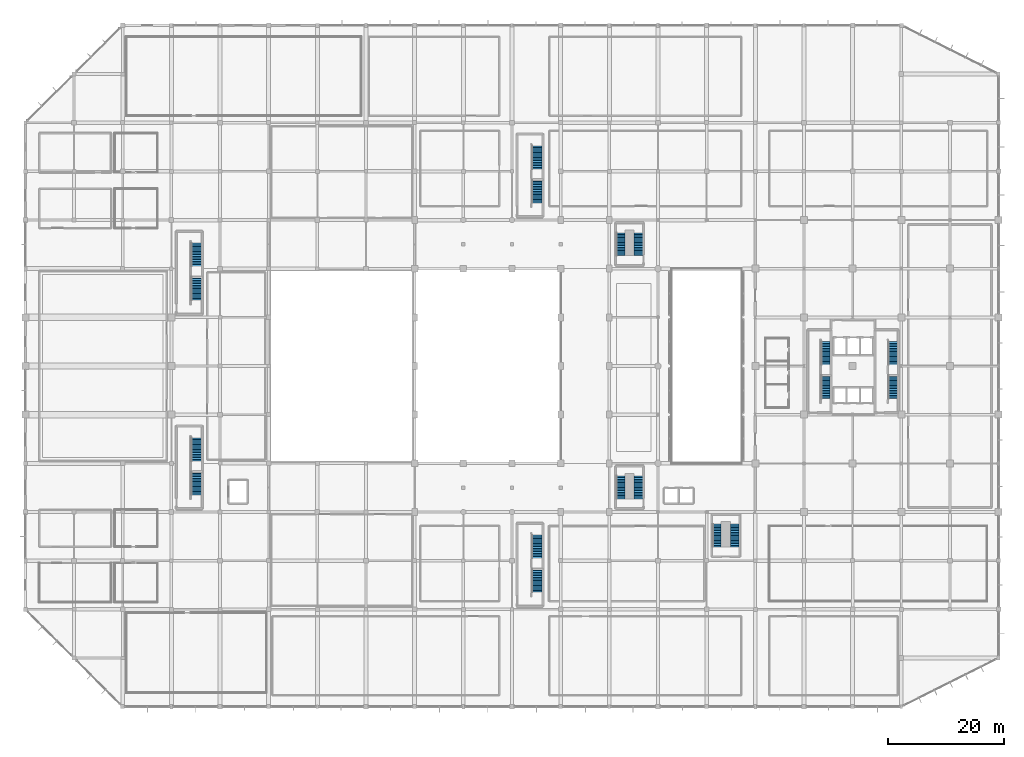
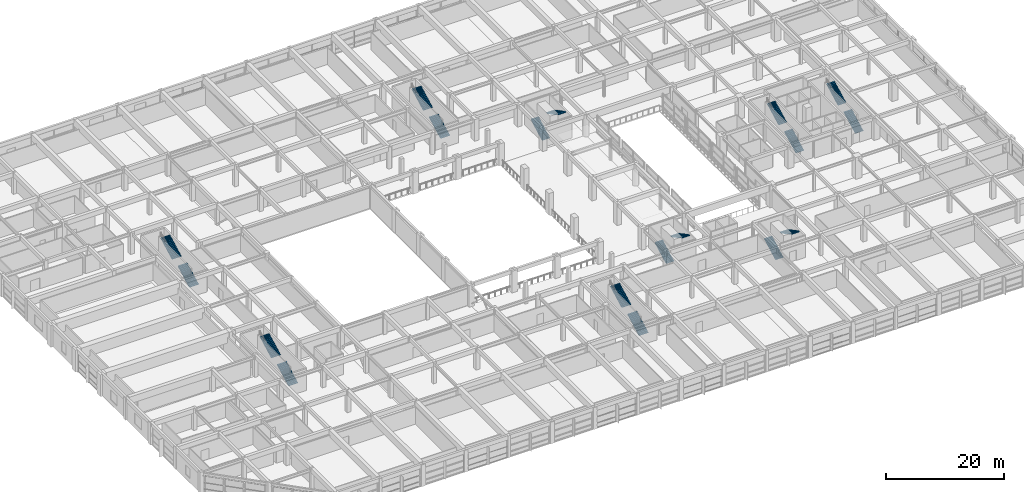
# One storey, part 57 of 65: 18 stair flights, 9 elements without a shape of their own.
"""IFC4 building model written with IfcOpenShell, lengths in metres."""

from ifc_helpers import new_model, si_unit, direction, frame, origin, place, context, subcontext, project, spatial, polyline, outline, extrude, material, layer, layer_set, type_object, element, aggregate, save


model = new_model("IFC4")

# Units and contexts
model_context = context("Model", 3, precision=1e-05, world=origin(), true_north=direction((0.0, 1.0)))
body_context = subcontext(model_context, "Body", "Model", "MODEL_VIEW")
ifc_project = project(units=[si_unit("LENGTHUNIT", "METRE"), si_unit("AREAUNIT", "SQUARE_METRE"), si_unit("VOLUMEUNIT", "CUBIC_METRE"), si_unit("PLANEANGLEUNIT", "RADIAN"), si_unit("MASSUNIT", "GRAM", prefix="KILO")], contexts=[model_context])

# Site, building, storey
site_placement = place(None, origin())
site = spatial("IfcSite", under=ifc_project, at=site_placement, CompositionType="ELEMENT")
building_placement = place(site_placement, origin())
building = spatial("IfcBuilding", under=site, at=building_placement, Name="Xuanlan Plaza Opera House", CompositionType="ELEMENT")
storey_placement = place(building_placement, frame((0.0, 0.0, 5.39990234375)))
storey = spatial("IfcBuildingStorey", under=building, at=storey_placement, Name="L01", CompositionType="ELEMENT", Elevation=5.39990234375)

# Stair, stair flights
ifc_material = material(Name="Concrete C40", Category="concrete")
stair_type_1 = type_object("IfcStairType", Name="INT-ST-STR-F130", PredefinedType="HALF_TURN_STAIR", material=ifc_material)
stair_1_placement = place(storey_placement, origin())
stair_1 = element("IfcStair", 1, at=stair_1_placement, inside=storey, type_object=stair_type_1, Name="Grand Foyer Feature Stair ST-F1 L01", PredefinedType="HALF_TURN_STAIR")
ifc_layer_1 = layer(ifc_material, 0.159912109375)
ifc_layer_set_1 = layer_set([ifc_layer_1], Name="Concrete C40")
stair_flight_type_1 = type_object("IfcStairFlightType", Name="INT-FL-FL-130", PredefinedType="STRAIGHT", material=ifc_layer_set_1)
stair_flight_1_placement = place(storey_placement, frame((102.75, 35.8798828125, 0.0), z_axis=(0.0, 0.0, 1.0), x_axis=(0.0, 1.0, 0.0)))
stair_flight_1 = element("IfcStairFlight", 2, at=stair_flight_1_placement, type_object=stair_flight_type_1, Name="ST-F1-L01 flight 1", NumberOfRisers=15, NumberOfTreads=14, PredefinedType="STRAIGHT", RiserHeight=0.15, TreadLength=0.28, context=body_context, shape_type="SweptSolid", body=[
    extrude(outline(polyline([(0.0, 0.0), (0.0, 0.14990234375), (0.280029296875, 0.14990234375), (0.280029296875, 0.300048828125), (0.56005859375, 0.300048828125), (0.56005859375, 0.449951171875), (0.840087890625, 0.449951171875), (0.840087890625, 0.60009765625), (1.1201171875, 0.60009765625), (1.1201171875, 0.75), (1.39990234375, 0.75), (1.39990234375, 0.89990234375), (1.679931640625, 0.89990234375), (1.679931640625, 1.050048828125), (1.9599609375, 1.050048828125), (1.9599609375, 1.199951171875), (2.239990234375, 1.199951171875), (2.239990234375, 1.35009765625), (2.52001953125, 1.35009765625), (2.52001953125, 1.5), (2.800048828125, 1.5), (2.800048828125, 1.64990234375), (3.080078125, 1.64990234375), (3.080078125, 1.800048828125), (3.360107421875, 1.800048828125), (3.360107421875, 1.949951171875), (3.639892578125, 1.949951171875), (3.639892578125, 2.10009765625), (3.919921875, 2.10009765625), (3.919921875, 2.25), (3.919921875, 1.918701171875), (0.338623046875, 0.0), (0.0, 0.0)])), frame((0.0, 0.75, 0.0), z_axis=(0.0, -1.0, 0.0), x_axis=(1.0, 0.0, 0.0)), (0.0, 0.0, 1.0), 1.5),
])
stair_flight_2_placement = place(storey_placement, frame((105.85009765625, 39.800048828125, 2.25), z_axis=(0.0, 0.0, 1.0), x_axis=(0.0, -1.0, 0.0)))
stair_flight_2 = element("IfcStairFlight", 3, at=stair_flight_2_placement, type_object=stair_flight_type_1, Name="ST-F1-L01 flight 2", NumberOfRisers=15, NumberOfTreads=14, PredefinedType="STRAIGHT", RiserHeight=0.15, TreadLength=0.28, context=body_context, shape_type="SweptSolid", body=[
    extrude(outline(polyline([(0.0, 0.0), (0.0, 0.14990234375), (0.280029296875, 0.14990234375), (0.280029296875, 0.300048828125), (0.56005859375, 0.300048828125), (0.56005859375, 0.449951171875), (0.840087890625, 0.449951171875), (0.840087890625, 0.60009765625), (1.1201171875, 0.60009765625), (1.1201171875, 0.75), (1.39990234375, 0.75), (1.39990234375, 0.89990234375), (1.679931640625, 0.89990234375), (1.679931640625, 1.050048828125), (1.9599609375, 1.050048828125), (1.9599609375, 1.199951171875), (2.239990234375, 1.199951171875), (2.239990234375, 1.35009765625), (2.52001953125, 1.35009765625), (2.52001953125, 1.5), (2.800048828125, 1.5), (2.800048828125, 1.64990234375), (3.080078125, 1.64990234375), (3.080078125, 1.800048828125), (3.360107421875, 1.800048828125), (3.360107421875, 1.949951171875), (3.639892578125, 1.949951171875), (3.639892578125, 2.10009765625), (3.919921875, 2.10009765625), (3.919921875, 2.25), (3.919921875, 1.918701171875), (0.338623046875, 0.0), (0.0, 0.0)])), frame((0.0, 0.75, 0.0), z_axis=(0.0, -1.0, 0.0), x_axis=(1.0, 0.0, 0.0)), (0.0, 0.0, 1.0), 1.5),
])
aggregate(stair_1, [stair_flight_1, stair_flight_2])

stair_2_placement = place(storey_placement, origin())
stair_2 = element("IfcStair", 4, at=stair_2_placement, inside=storey, type_object=stair_type_1, Name="Grand Foyer Feature Stair ST-F2 L01", PredefinedType="HALF_TURN_STAIR")
stair_flight_3_placement = place(storey_placement, frame((102.75, 77.8798828125, 0.0), z_axis=(0.0, 0.0, 1.0), x_axis=(0.0, 1.0, 0.0)))
stair_flight_3 = element("IfcStairFlight", 5, at=stair_flight_3_placement, type_object=stair_flight_type_1, Name="ST-F2-L01 flight 1", NumberOfRisers=15, NumberOfTreads=14, PredefinedType="STRAIGHT", RiserHeight=0.15, TreadLength=0.28, context=body_context, shape_type="SweptSolid", body=[
    extrude(outline(polyline([(0.0, 0.0), (0.0, 0.14990234375), (0.280029296875, 0.14990234375), (0.280029296875, 0.300048828125), (0.56005859375, 0.300048828125), (0.56005859375, 0.449951171875), (0.840087890625, 0.449951171875), (0.840087890625, 0.60009765625), (1.1201171875, 0.60009765625), (1.1201171875, 0.75), (1.39990234375, 0.75), (1.39990234375, 0.89990234375), (1.679931640625, 0.89990234375), (1.679931640625, 1.050048828125), (1.9599609375, 1.050048828125), (1.9599609375, 1.199951171875), (2.239990234375, 1.199951171875), (2.239990234375, 1.35009765625), (2.52001953125, 1.35009765625), (2.52001953125, 1.5), (2.800048828125, 1.5), (2.800048828125, 1.64990234375), (3.080078125, 1.64990234375), (3.080078125, 1.800048828125), (3.360107421875, 1.800048828125), (3.360107421875, 1.949951171875), (3.639892578125, 1.949951171875), (3.639892578125, 2.10009765625), (3.919921875, 2.10009765625), (3.919921875, 2.25), (3.919921875, 1.918701171875), (0.338623046875, 0.0), (0.0, 0.0)])), frame((0.0, 0.75, 0.0), z_axis=(0.0, -1.0, 0.0), x_axis=(1.0, 0.0, 0.0)), (0.0, 0.0, 1.0), 1.5),
])
stair_flight_4_placement = place(storey_placement, frame((105.85009765625, 81.800048828125, 2.25), z_axis=(0.0, 0.0, 1.0), x_axis=(0.0, -1.0, 0.0)))
stair_flight_4 = element("IfcStairFlight", 6, at=stair_flight_4_placement, type_object=stair_flight_type_1, Name="ST-F2-L01 flight 2", NumberOfRisers=15, NumberOfTreads=14, PredefinedType="STRAIGHT", RiserHeight=0.15, TreadLength=0.28, context=body_context, shape_type="SweptSolid", body=[
    extrude(outline(polyline([(0.0, 0.0), (0.0, 0.14990234375), (0.280029296875, 0.14990234375), (0.280029296875, 0.300048828125), (0.56005859375, 0.300048828125), (0.56005859375, 0.449951171875), (0.840087890625, 0.449951171875), (0.840087890625, 0.60009765625), (1.1201171875, 0.60009765625), (1.1201171875, 0.75), (1.39990234375, 0.75), (1.39990234375, 0.89990234375), (1.679931640625, 0.89990234375), (1.679931640625, 1.050048828125), (1.9599609375, 1.050048828125), (1.9599609375, 1.199951171875), (2.239990234375, 1.199951171875), (2.239990234375, 1.35009765625), (2.52001953125, 1.35009765625), (2.52001953125, 1.5), (2.800048828125, 1.5), (2.800048828125, 1.64990234375), (3.080078125, 1.64990234375), (3.080078125, 1.800048828125), (3.360107421875, 1.800048828125), (3.360107421875, 1.949951171875), (3.639892578125, 1.949951171875), (3.639892578125, 2.10009765625), (3.919921875, 2.10009765625), (3.919921875, 2.25), (3.919921875, 1.918701171875), (0.338623046875, 0.0), (0.0, 0.0)])), frame((0.0, 0.75, 0.0), z_axis=(0.0, -1.0, 0.0), x_axis=(1.0, 0.0, 0.0)), (0.0, 0.0, 1.0), 1.5),
])
aggregate(stair_2, [stair_flight_3, stair_flight_4])

stair_type_2 = type_object("IfcStairType", Name="INT-ST-STR-F135", PredefinedType="HALF_TURN_STAIR", material=ifc_material)
stair_3_placement = place(storey_placement, origin())
stair_3 = element("IfcStair", 7, at=stair_3_placement, inside=storey, type_object=stair_type_2, Name="Grand Foyer Feature Stair ST-F3 L01", PredefinedType="HALF_TURN_STAIR")
stair_flight_5_placement = place(storey_placement, frame((119.35009765625, 27.580078125, 0.0), z_axis=(0.0, 0.0, 1.0), x_axis=(0.0, 1.0, 0.0)))
stair_flight_5 = element("IfcStairFlight", 8, at=stair_flight_5_placement, type_object=stair_flight_type_1, Name="ST-F3-L01 flight 1", NumberOfRisers=15, NumberOfTreads=14, PredefinedType="STRAIGHT", RiserHeight=0.15, TreadLength=0.28, context=body_context, shape_type="SweptSolid", body=[
    extrude(outline(polyline([(0.0, 0.0), (0.0, 0.14990234375), (0.280029296875, 0.14990234375), (0.280029296875, 0.300048828125), (0.56005859375, 0.300048828125), (0.56005859375, 0.449951171875), (0.840087890625, 0.449951171875), (0.840087890625, 0.60009765625), (1.1201171875, 0.60009765625), (1.1201171875, 0.75), (1.39990234375, 0.75), (1.39990234375, 0.89990234375), (1.679931640625, 0.89990234375), (1.679931640625, 1.050048828125), (1.9599609375, 1.050048828125), (1.9599609375, 1.199951171875), (2.239990234375, 1.199951171875), (2.239990234375, 1.35009765625), (2.52001953125, 1.35009765625), (2.52001953125, 1.5), (2.800048828125, 1.5), (2.800048828125, 1.64990234375), (3.080078125, 1.64990234375), (3.080078125, 1.800048828125), (3.360107421875, 1.800048828125), (3.360107421875, 1.949951171875), (3.639892578125, 1.949951171875), (3.639892578125, 2.10009765625), (3.919921875, 2.10009765625), (3.919921875, 2.25), (3.919921875, 1.918701171875), (0.338623046875, 0.0), (0.0, 0.0)])), frame((0.0, 0.75, 0.0), z_axis=(0.0, -1.0, 0.0), x_axis=(1.0, 0.0, 0.0)), (0.0, 0.0, 1.0), 1.5),
])
stair_flight_6_placement = place(storey_placement, frame((122.449951171875, 31.5, 2.25), z_axis=(0.0, 0.0, 1.0), x_axis=(0.0, -1.0, 0.0)))
stair_flight_6 = element("IfcStairFlight", 9, at=stair_flight_6_placement, type_object=stair_flight_type_1, Name="ST-F3-L01 flight 2", NumberOfRisers=15, NumberOfTreads=14, PredefinedType="STRAIGHT", RiserHeight=0.15, TreadLength=0.28, context=body_context, shape_type="SweptSolid", body=[
    extrude(outline(polyline([(0.0, 0.0), (0.0, 0.14990234375), (0.280029296875, 0.14990234375), (0.280029296875, 0.300048828125), (0.56005859375, 0.300048828125), (0.56005859375, 0.449951171875), (0.840087890625, 0.449951171875), (0.840087890625, 0.60009765625), (1.1201171875, 0.60009765625), (1.1201171875, 0.75), (1.39990234375, 0.75), (1.39990234375, 0.89990234375), (1.679931640625, 0.89990234375), (1.679931640625, 1.050048828125), (1.9599609375, 1.050048828125), (1.9599609375, 1.199951171875), (2.239990234375, 1.199951171875), (2.239990234375, 1.35009765625), (2.52001953125, 1.35009765625), (2.52001953125, 1.5), (2.800048828125, 1.5), (2.800048828125, 1.64990234375), (3.080078125, 1.64990234375), (3.080078125, 1.800048828125), (3.360107421875, 1.800048828125), (3.360107421875, 1.949951171875), (3.639892578125, 1.949951171875), (3.639892578125, 2.10009765625), (3.919921875, 2.10009765625), (3.919921875, 2.25), (3.919921875, 1.918701171875), (0.338623046875, 0.0), (0.0, 0.0)])), frame((0.0, 0.75, 0.0), z_axis=(0.0, -1.0, 0.0), x_axis=(1.0, 0.0, 0.0)), (0.0, 0.0, 1.0), 1.5),
])
aggregate(stair_3, [stair_flight_5, stair_flight_6])

stair_type_3 = type_object("IfcStairType", Name="INT-ST-STR-T155", PredefinedType="STRAIGHT_RUN_STAIR", material=ifc_material)
stair_4_placement = place(storey_placement, origin())
stair_4 = element("IfcStair", 10, at=stair_4_placement, inside=storey, type_object=stair_type_3, Name="Protected Exit Stair ST-T1 L01", PredefinedType="STRAIGHT_RUN_STAIR")
ifc_layer_2 = layer(ifc_material, 0.159912109375)
ifc_layer_set_2 = layer_set([ifc_layer_2], Name="Concrete C40")
stair_flight_type_2 = type_object("IfcStairFlightType", Name="INT-FL-FL-155", PredefinedType="STRAIGHT", material=ifc_layer_set_2)
stair_flight_7_placement = place(storey_placement, frame((138.125, 53.169921875, 0.0), z_axis=(0.0, 0.0, 1.0), x_axis=(0.0, 1.0, 0.0)))
stair_flight_7 = element("IfcStairFlight", 11, at=stair_flight_7_placement, type_object=stair_flight_type_2, Name="ST-T1-L01 flight 1", NumberOfRisers=15, NumberOfTreads=14, PredefinedType="STRAIGHT", RiserHeight=0.15, TreadLength=0.285, context=body_context, shape_type="SweptSolid", body=[
    extrude(outline(polyline([(0.0, 0.0), (0.0, 0.14990234375), (0.284912109375, 0.14990234375), (0.284912109375, 0.300048828125), (0.570068359375, 0.300048828125), (0.570068359375, 0.449951171875), (0.85498046875, 0.449951171875), (0.85498046875, 0.60009765625), (1.139892578125, 0.60009765625), (1.139892578125, 0.75), (1.425048828125, 0.75), (1.425048828125, 0.89990234375), (1.7099609375, 0.89990234375), (1.7099609375, 1.050048828125), (1.9951171875, 1.050048828125), (1.9951171875, 1.199951171875), (2.280029296875, 1.199951171875), (2.280029296875, 1.35009765625), (2.56494140625, 1.35009765625), (2.56494140625, 1.5), (2.85009765625, 1.5), (2.85009765625, 1.64990234375), (3.135009765625, 1.64990234375), (3.135009765625, 1.800048828125), (3.419921875, 1.800048828125), (3.419921875, 1.949951171875), (3.705078125, 1.949951171875), (3.705078125, 2.10009765625), (3.989990234375, 2.10009765625), (3.989990234375, 2.25), (3.989990234375, 1.919189453125), (0.34326171875, 0.0), (0.0, 0.0)])), frame((0.0, 0.77490234375, 0.0), z_axis=(0.0, -1.0, 0.0), x_axis=(1.0, 0.0, 0.0)), (0.0, 0.0, 1.0), 1.550048828125),
])
stair_flight_8_placement = place(storey_placement, frame((138.125, 59.010009765625, 2.25), z_axis=(0.0, 0.0, 1.0), x_axis=(0.0, 1.0, 0.0)))
stair_flight_8 = element("IfcStairFlight", 12, at=stair_flight_8_placement, type_object=stair_flight_type_2, Name="ST-T1-L01 flight 2", NumberOfRisers=15, NumberOfTreads=14, PredefinedType="STRAIGHT", RiserHeight=0.15, TreadLength=0.285, context=body_context, shape_type="SweptSolid", body=[
    extrude(outline(polyline([(0.0, 0.0), (0.0, 0.14990234375), (0.284912109375, 0.14990234375), (0.284912109375, 0.300048828125), (0.570068359375, 0.300048828125), (0.570068359375, 0.449951171875), (0.85498046875, 0.449951171875), (0.85498046875, 0.60009765625), (1.139892578125, 0.60009765625), (1.139892578125, 0.75), (1.425048828125, 0.75), (1.425048828125, 0.89990234375), (1.7099609375, 0.89990234375), (1.7099609375, 1.050048828125), (1.9951171875, 1.050048828125), (1.9951171875, 1.199951171875), (2.280029296875, 1.199951171875), (2.280029296875, 1.35009765625), (2.56494140625, 1.35009765625), (2.56494140625, 1.5), (2.85009765625, 1.5), (2.85009765625, 1.64990234375), (3.135009765625, 1.64990234375), (3.135009765625, 1.800048828125), (3.419921875, 1.800048828125), (3.419921875, 1.949951171875), (3.705078125, 1.949951171875), (3.705078125, 2.10009765625), (3.989990234375, 2.10009765625), (3.989990234375, 2.25), (3.989990234375, 1.919189453125), (0.34326171875, 0.0), (0.0, 0.0)])), frame((0.0, 0.77490234375, 0.0), z_axis=(0.0, -1.0, 0.0), x_axis=(1.0, 0.0, 0.0)), (0.0, 0.0, 1.0), 1.550048828125),
])
aggregate(stair_4, [stair_flight_7, stair_flight_8])

stair_5_placement = place(storey_placement, origin())
stair_5 = element("IfcStair", 13, at=stair_5_placement, inside=storey, type_object=stair_type_3, Name="Protected Exit Stair ST-T2 L01", PredefinedType="STRAIGHT_RUN_STAIR")
stair_flight_9_placement = place(storey_placement, frame((149.72509765625, 53.169921875, 0.0), z_axis=(0.0, 0.0, 1.0), x_axis=(0.0, 1.0, 0.0)))
stair_flight_9 = element("IfcStairFlight", 14, at=stair_flight_9_placement, type_object=stair_flight_type_2, Name="ST-T2-L01 flight 1", NumberOfRisers=15, NumberOfTreads=14, PredefinedType="STRAIGHT", RiserHeight=0.15, TreadLength=0.285, context=body_context, shape_type="SweptSolid", body=[
    extrude(outline(polyline([(0.0, 0.0), (0.0, 0.14990234375), (0.284912109375, 0.14990234375), (0.284912109375, 0.300048828125), (0.570068359375, 0.300048828125), (0.570068359375, 0.449951171875), (0.85498046875, 0.449951171875), (0.85498046875, 0.60009765625), (1.139892578125, 0.60009765625), (1.139892578125, 0.75), (1.425048828125, 0.75), (1.425048828125, 0.89990234375), (1.7099609375, 0.89990234375), (1.7099609375, 1.050048828125), (1.9951171875, 1.050048828125), (1.9951171875, 1.199951171875), (2.280029296875, 1.199951171875), (2.280029296875, 1.35009765625), (2.56494140625, 1.35009765625), (2.56494140625, 1.5), (2.85009765625, 1.5), (2.85009765625, 1.64990234375), (3.135009765625, 1.64990234375), (3.135009765625, 1.800048828125), (3.419921875, 1.800048828125), (3.419921875, 1.949951171875), (3.705078125, 1.949951171875), (3.705078125, 2.10009765625), (3.989990234375, 2.10009765625), (3.989990234375, 2.25), (3.989990234375, 1.919189453125), (0.34326171875, 0.0), (0.0, 0.0)])), frame((0.0, 0.77490234375, 0.0), z_axis=(0.0, -1.0, 0.0), x_axis=(1.0, 0.0, 0.0)), (0.0, 0.0, 1.0), 1.550048828125),
])
stair_flight_10_placement = place(storey_placement, frame((149.72509765625, 59.010009765625, 2.25), z_axis=(0.0, 0.0, 1.0), x_axis=(0.0, 1.0, 0.0)))
stair_flight_10 = element("IfcStairFlight", 15, at=stair_flight_10_placement, type_object=stair_flight_type_2, Name="ST-T2-L01 flight 2", NumberOfRisers=15, NumberOfTreads=14, PredefinedType="STRAIGHT", RiserHeight=0.15, TreadLength=0.285, context=body_context, shape_type="SweptSolid", body=[
    extrude(outline(polyline([(0.0, 0.0), (0.0, 0.14990234375), (0.284912109375, 0.14990234375), (0.284912109375, 0.300048828125), (0.570068359375, 0.300048828125), (0.570068359375, 0.449951171875), (0.85498046875, 0.449951171875), (0.85498046875, 0.60009765625), (1.139892578125, 0.60009765625), (1.139892578125, 0.75), (1.425048828125, 0.75), (1.425048828125, 0.89990234375), (1.7099609375, 0.89990234375), (1.7099609375, 1.050048828125), (1.9951171875, 1.050048828125), (1.9951171875, 1.199951171875), (2.280029296875, 1.199951171875), (2.280029296875, 1.35009765625), (2.56494140625, 1.35009765625), (2.56494140625, 1.5), (2.85009765625, 1.5), (2.85009765625, 1.64990234375), (3.135009765625, 1.64990234375), (3.135009765625, 1.800048828125), (3.419921875, 1.800048828125), (3.419921875, 1.949951171875), (3.705078125, 1.949951171875), (3.705078125, 2.10009765625), (3.989990234375, 2.10009765625), (3.989990234375, 2.25), (3.989990234375, 1.919189453125), (0.34326171875, 0.0), (0.0, 0.0)])), frame((0.0, 0.77490234375, 0.0), z_axis=(0.0, -1.0, 0.0), x_axis=(1.0, 0.0, 0.0)), (0.0, 0.0, 1.0), 1.550048828125),
])
aggregate(stair_5, [stair_flight_9, stair_flight_10])

stair_type_4 = type_object("IfcStairType", Name="INT-ST-STR-P180", PredefinedType="STRAIGHT_RUN_STAIR", material=ifc_material)
stair_6_placement = place(storey_placement, origin())
stair_6 = element("IfcStair", 16, at=stair_6_placement, inside=storey, type_object=stair_type_4, Name="Protected Exit Stair ST-P1 L01", PredefinedType="STRAIGHT_RUN_STAIR")
ifc_layer_3 = layer(ifc_material, 0.179931640625)
ifc_layer_set_3 = layer_set([ifc_layer_3], Name="Concrete C40")
stair_flight_type_3 = type_object("IfcStairFlightType", Name="INT-FL-FL-180", PredefinedType="STRAIGHT", material=ifc_layer_set_3)
stair_flight_11_placement = place(storey_placement, frame((29.5, 36.570068359375, 0.0), z_axis=(0.0, 0.0, 1.0), x_axis=(0.0, 1.0, 0.0)))
stair_flight_11 = element("IfcStairFlight", 17, at=stair_flight_11_placement, type_object=stair_flight_type_3, Name="ST-P1-L01 flight 1", NumberOfRisers=15, NumberOfTreads=14, PredefinedType="STRAIGHT", RiserHeight=0.15, TreadLength=0.285, context=body_context, shape_type="SweptSolid", body=[
    extrude(outline(polyline([(0.0, 0.0), (0.0, 0.14990234375), (0.284912109375, 0.14990234375), (0.284912109375, 0.300048828125), (0.570068359375, 0.300048828125), (0.570068359375, 0.449951171875), (0.85498046875, 0.449951171875), (0.85498046875, 0.60009765625), (1.139892578125, 0.60009765625), (1.139892578125, 0.75), (1.425048828125, 0.75), (1.425048828125, 0.89990234375), (1.7099609375, 0.89990234375), (1.7099609375, 1.050048828125), (1.9951171875, 1.050048828125), (1.9951171875, 1.199951171875), (2.280029296875, 1.199951171875), (2.280029296875, 1.35009765625), (2.56494140625, 1.35009765625), (2.56494140625, 1.5), (2.85009765625, 1.5), (2.85009765625, 1.64990234375), (3.135009765625, 1.64990234375), (3.135009765625, 1.800048828125), (3.419921875, 1.800048828125), (3.419921875, 1.949951171875), (3.705078125, 1.949951171875), (3.705078125, 2.10009765625), (3.989990234375, 2.10009765625), (3.989990234375, 2.25), (3.989990234375, 1.919189453125), (0.34326171875, 0.0), (0.0, 0.0)])), frame((0.0, 0.89990234375, 0.0), z_axis=(0.0, -1.0, 0.0), x_axis=(1.0, 0.0, 0.0)), (0.0, 0.0, 1.0), 1.800048828125),
])
stair_flight_12_placement = place(storey_placement, frame((29.5, 42.409912109375, 2.25), z_axis=(0.0, 0.0, 1.0), x_axis=(0.0, 1.0, 0.0)))
stair_flight_12 = element("IfcStairFlight", 18, at=stair_flight_12_placement, type_object=stair_flight_type_3, Name="ST-P1-L01 flight 2", NumberOfRisers=15, NumberOfTreads=14, PredefinedType="STRAIGHT", RiserHeight=0.15, TreadLength=0.285, context=body_context, shape_type="SweptSolid", body=[
    extrude(outline(polyline([(0.0, 0.0), (0.0, 0.14990234375), (0.284912109375, 0.14990234375), (0.284912109375, 0.300048828125), (0.570068359375, 0.300048828125), (0.570068359375, 0.449951171875), (0.85498046875, 0.449951171875), (0.85498046875, 0.60009765625), (1.139892578125, 0.60009765625), (1.139892578125, 0.75), (1.425048828125, 0.75), (1.425048828125, 0.89990234375), (1.7099609375, 0.89990234375), (1.7099609375, 1.050048828125), (1.9951171875, 1.050048828125), (1.9951171875, 1.199951171875), (2.280029296875, 1.199951171875), (2.280029296875, 1.35009765625), (2.56494140625, 1.35009765625), (2.56494140625, 1.5), (2.85009765625, 1.5), (2.85009765625, 1.64990234375), (3.135009765625, 1.64990234375), (3.135009765625, 1.800048828125), (3.419921875, 1.800048828125), (3.419921875, 1.949951171875), (3.705078125, 1.949951171875), (3.705078125, 2.10009765625), (3.989990234375, 2.10009765625), (3.989990234375, 2.25), (3.989990234375, 1.919189453125), (0.34326171875, 0.0), (0.0, 0.0)])), frame((0.0, 0.89990234375, 0.0), z_axis=(0.0, -1.0, 0.0), x_axis=(1.0, 0.0, 0.0)), (0.0, 0.0, 1.0), 1.800048828125),
])
aggregate(stair_6, [stair_flight_11, stair_flight_12])

stair_7_placement = place(storey_placement, origin())
stair_7 = element("IfcStair", 19, at=stair_7_placement, inside=storey, type_object=stair_type_4, Name="Protected Exit Stair ST-P2 L01", PredefinedType="STRAIGHT_RUN_STAIR")
stair_flight_13_placement = place(storey_placement, frame((29.5, 70.169921875, 0.0), z_axis=(0.0, 0.0, 1.0), x_axis=(0.0, 1.0, 0.0)))
stair_flight_13 = element("IfcStairFlight", 20, at=stair_flight_13_placement, type_object=stair_flight_type_3, Name="ST-P2-L01 flight 1", NumberOfRisers=15, NumberOfTreads=14, PredefinedType="STRAIGHT", RiserHeight=0.15, TreadLength=0.285, context=body_context, shape_type="SweptSolid", body=[
    extrude(outline(polyline([(0.0, 0.0), (0.0, 0.14990234375), (0.284912109375, 0.14990234375), (0.284912109375, 0.300048828125), (0.570068359375, 0.300048828125), (0.570068359375, 0.449951171875), (0.85498046875, 0.449951171875), (0.85498046875, 0.60009765625), (1.139892578125, 0.60009765625), (1.139892578125, 0.75), (1.425048828125, 0.75), (1.425048828125, 0.89990234375), (1.7099609375, 0.89990234375), (1.7099609375, 1.050048828125), (1.9951171875, 1.050048828125), (1.9951171875, 1.199951171875), (2.280029296875, 1.199951171875), (2.280029296875, 1.35009765625), (2.56494140625, 1.35009765625), (2.56494140625, 1.5), (2.85009765625, 1.5), (2.85009765625, 1.64990234375), (3.135009765625, 1.64990234375), (3.135009765625, 1.800048828125), (3.419921875, 1.800048828125), (3.419921875, 1.949951171875), (3.705078125, 1.949951171875), (3.705078125, 2.10009765625), (3.989990234375, 2.10009765625), (3.989990234375, 2.25), (3.989990234375, 1.919189453125), (0.34326171875, 0.0), (0.0, 0.0)])), frame((0.0, 0.89990234375, 0.0), z_axis=(0.0, -1.0, 0.0), x_axis=(1.0, 0.0, 0.0)), (0.0, 0.0, 1.0), 1.800048828125),
])
stair_flight_14_placement = place(storey_placement, frame((29.5, 76.010009765625, 2.25), z_axis=(0.0, 0.0, 1.0), x_axis=(0.0, 1.0, 0.0)))
stair_flight_14 = element("IfcStairFlight", 21, at=stair_flight_14_placement, type_object=stair_flight_type_3, Name="ST-P2-L01 flight 2", NumberOfRisers=15, NumberOfTreads=14, PredefinedType="STRAIGHT", RiserHeight=0.15, TreadLength=0.285, context=body_context, shape_type="SweptSolid", body=[
    extrude(outline(polyline([(0.0, 0.0), (0.0, 0.14990234375), (0.284912109375, 0.14990234375), (0.284912109375, 0.300048828125), (0.570068359375, 0.300048828125), (0.570068359375, 0.449951171875), (0.85498046875, 0.449951171875), (0.85498046875, 0.60009765625), (1.139892578125, 0.60009765625), (1.139892578125, 0.75), (1.425048828125, 0.75), (1.425048828125, 0.89990234375), (1.7099609375, 0.89990234375), (1.7099609375, 1.050048828125), (1.9951171875, 1.050048828125), (1.9951171875, 1.199951171875), (2.280029296875, 1.199951171875), (2.280029296875, 1.35009765625), (2.56494140625, 1.35009765625), (2.56494140625, 1.5), (2.85009765625, 1.5), (2.85009765625, 1.64990234375), (3.135009765625, 1.64990234375), (3.135009765625, 1.800048828125), (3.419921875, 1.800048828125), (3.419921875, 1.949951171875), (3.705078125, 1.949951171875), (3.705078125, 2.10009765625), (3.989990234375, 2.10009765625), (3.989990234375, 2.25), (3.989990234375, 1.919189453125), (0.34326171875, 0.0), (0.0, 0.0)])), frame((0.0, 0.89990234375, 0.0), z_axis=(0.0, -1.0, 0.0), x_axis=(1.0, 0.0, 0.0)), (0.0, 0.0, 1.0), 1.800048828125),
])
aggregate(stair_7, [stair_flight_13, stair_flight_14])

stair_8_placement = place(storey_placement, origin())
stair_8 = element("IfcStair", 22, at=stair_8_placement, inside=storey, type_object=stair_type_4, Name="Protected Exit Stair ST-P3 L01", PredefinedType="STRAIGHT_RUN_STAIR")
stair_flight_15_placement = place(storey_placement, frame((88.300048828125, 19.77001953125, 0.0), z_axis=(0.0, 0.0, 1.0), x_axis=(0.0, 1.0, 0.0)))
stair_flight_15 = element("IfcStairFlight", 23, at=stair_flight_15_placement, type_object=stair_flight_type_3, Name="ST-P3-L01 flight 1", NumberOfRisers=15, NumberOfTreads=14, PredefinedType="STRAIGHT", RiserHeight=0.15, TreadLength=0.285, context=body_context, shape_type="SweptSolid", body=[
    extrude(outline(polyline([(0.0, 0.0), (0.0, 0.14990234375), (0.284912109375, 0.14990234375), (0.284912109375, 0.300048828125), (0.570068359375, 0.300048828125), (0.570068359375, 0.449951171875), (0.85498046875, 0.449951171875), (0.85498046875, 0.60009765625), (1.139892578125, 0.60009765625), (1.139892578125, 0.75), (1.425048828125, 0.75), (1.425048828125, 0.89990234375), (1.7099609375, 0.89990234375), (1.7099609375, 1.050048828125), (1.9951171875, 1.050048828125), (1.9951171875, 1.199951171875), (2.280029296875, 1.199951171875), (2.280029296875, 1.35009765625), (2.56494140625, 1.35009765625), (2.56494140625, 1.5), (2.85009765625, 1.5), (2.85009765625, 1.64990234375), (3.135009765625, 1.64990234375), (3.135009765625, 1.800048828125), (3.419921875, 1.800048828125), (3.419921875, 1.949951171875), (3.705078125, 1.949951171875), (3.705078125, 2.10009765625), (3.989990234375, 2.10009765625), (3.989990234375, 2.25), (3.989990234375, 1.919189453125), (0.34326171875, 0.0), (0.0, 0.0)])), frame((0.0, 0.89990234375, 0.0), z_axis=(0.0, -1.0, 0.0), x_axis=(1.0, 0.0, 0.0)), (0.0, 0.0, 1.0), 1.800048828125),
])
stair_flight_16_placement = place(storey_placement, frame((88.300048828125, 25.610107421875, 2.25), z_axis=(0.0, 0.0, 1.0), x_axis=(0.0, 1.0, 0.0)))
stair_flight_16 = element("IfcStairFlight", 24, at=stair_flight_16_placement, type_object=stair_flight_type_3, Name="ST-P3-L01 flight 2", NumberOfRisers=15, NumberOfTreads=14, PredefinedType="STRAIGHT", RiserHeight=0.15, TreadLength=0.285, context=body_context, shape_type="SweptSolid", body=[
    extrude(outline(polyline([(0.0, 0.0), (0.0, 0.14990234375), (0.284912109375, 0.14990234375), (0.284912109375, 0.300048828125), (0.570068359375, 0.300048828125), (0.570068359375, 0.449951171875), (0.85498046875, 0.449951171875), (0.85498046875, 0.60009765625), (1.139892578125, 0.60009765625), (1.139892578125, 0.75), (1.425048828125, 0.75), (1.425048828125, 0.89990234375), (1.7099609375, 0.89990234375), (1.7099609375, 1.050048828125), (1.9951171875, 1.050048828125), (1.9951171875, 1.199951171875), (2.280029296875, 1.199951171875), (2.280029296875, 1.35009765625), (2.56494140625, 1.35009765625), (2.56494140625, 1.5), (2.85009765625, 1.5), (2.85009765625, 1.64990234375), (3.135009765625, 1.64990234375), (3.135009765625, 1.800048828125), (3.419921875, 1.800048828125), (3.419921875, 1.949951171875), (3.705078125, 1.949951171875), (3.705078125, 2.10009765625), (3.989990234375, 2.10009765625), (3.989990234375, 2.25), (3.989990234375, 1.919189453125), (0.34326171875, 0.0), (0.0, 0.0)])), frame((0.0, 0.89990234375, 0.0), z_axis=(0.0, -1.0, 0.0), x_axis=(1.0, 0.0, 0.0)), (0.0, 0.0, 1.0), 1.800048828125),
])
aggregate(stair_8, [stair_flight_15, stair_flight_16])

stair_9_placement = place(storey_placement, origin())
stair_9 = element("IfcStair", 25, at=stair_9_placement, inside=storey, type_object=stair_type_4, Name="Protected Exit Stair ST-P4 L01", PredefinedType="STRAIGHT_RUN_STAIR")
stair_flight_17_placement = place(storey_placement, frame((88.300048828125, 86.969970703125, 0.0), z_axis=(0.0, 0.0, 1.0), x_axis=(0.0, 1.0, 0.0)))
stair_flight_17 = element("IfcStairFlight", 26, at=stair_flight_17_placement, type_object=stair_flight_type_3, Name="ST-P4-L01 flight 1", NumberOfRisers=15, NumberOfTreads=14, PredefinedType="STRAIGHT", RiserHeight=0.15, TreadLength=0.285, context=body_context, shape_type="SweptSolid", body=[
    extrude(outline(polyline([(0.0, 0.0), (0.0, 0.14990234375), (0.284912109375, 0.14990234375), (0.284912109375, 0.300048828125), (0.570068359375, 0.300048828125), (0.570068359375, 0.449951171875), (0.85498046875, 0.449951171875), (0.85498046875, 0.60009765625), (1.139892578125, 0.60009765625), (1.139892578125, 0.75), (1.425048828125, 0.75), (1.425048828125, 0.89990234375), (1.7099609375, 0.89990234375), (1.7099609375, 1.050048828125), (1.9951171875, 1.050048828125), (1.9951171875, 1.199951171875), (2.280029296875, 1.199951171875), (2.280029296875, 1.35009765625), (2.56494140625, 1.35009765625), (2.56494140625, 1.5), (2.85009765625, 1.5), (2.85009765625, 1.64990234375), (3.135009765625, 1.64990234375), (3.135009765625, 1.800048828125), (3.419921875, 1.800048828125), (3.419921875, 1.949951171875), (3.705078125, 1.949951171875), (3.705078125, 2.10009765625), (3.989990234375, 2.10009765625), (3.989990234375, 2.25), (3.989990234375, 1.919189453125), (0.34326171875, 0.0), (0.0, 0.0)])), frame((0.0, 0.89990234375, 0.0), z_axis=(0.0, -1.0, 0.0), x_axis=(1.0, 0.0, 0.0)), (0.0, 0.0, 1.0), 1.800048828125),
])
stair_flight_18_placement = place(storey_placement, frame((88.300048828125, 92.81005859375, 2.25), z_axis=(0.0, 0.0, 1.0), x_axis=(0.0, 1.0, 0.0)))
stair_flight_18 = element("IfcStairFlight", 27, at=stair_flight_18_placement, type_object=stair_flight_type_3, Name="ST-P4-L01 flight 2", NumberOfRisers=15, NumberOfTreads=14, PredefinedType="STRAIGHT", RiserHeight=0.15, TreadLength=0.285, context=body_context, shape_type="SweptSolid", body=[
    extrude(outline(polyline([(0.0, 0.0), (0.0, 0.14990234375), (0.284912109375, 0.14990234375), (0.284912109375, 0.300048828125), (0.570068359375, 0.300048828125), (0.570068359375, 0.449951171875), (0.85498046875, 0.449951171875), (0.85498046875, 0.60009765625), (1.139892578125, 0.60009765625), (1.139892578125, 0.75), (1.425048828125, 0.75), (1.425048828125, 0.89990234375), (1.7099609375, 0.89990234375), (1.7099609375, 1.050048828125), (1.9951171875, 1.050048828125), (1.9951171875, 1.199951171875), (2.280029296875, 1.199951171875), (2.280029296875, 1.35009765625), (2.56494140625, 1.35009765625), (2.56494140625, 1.5), (2.85009765625, 1.5), (2.85009765625, 1.64990234375), (3.135009765625, 1.64990234375), (3.135009765625, 1.800048828125), (3.419921875, 1.800048828125), (3.419921875, 1.949951171875), (3.705078125, 1.949951171875), (3.705078125, 2.10009765625), (3.989990234375, 2.10009765625), (3.989990234375, 2.25), (3.989990234375, 1.919189453125), (0.34326171875, 0.0), (0.0, 0.0)])), frame((0.0, 0.89990234375, 0.0), z_axis=(0.0, -1.0, 0.0), x_axis=(1.0, 0.0, 0.0)), (0.0, 0.0, 1.0), 1.800048828125),
])
aggregate(stair_9, [stair_flight_17, stair_flight_18])

save(model, "model.ifc")
